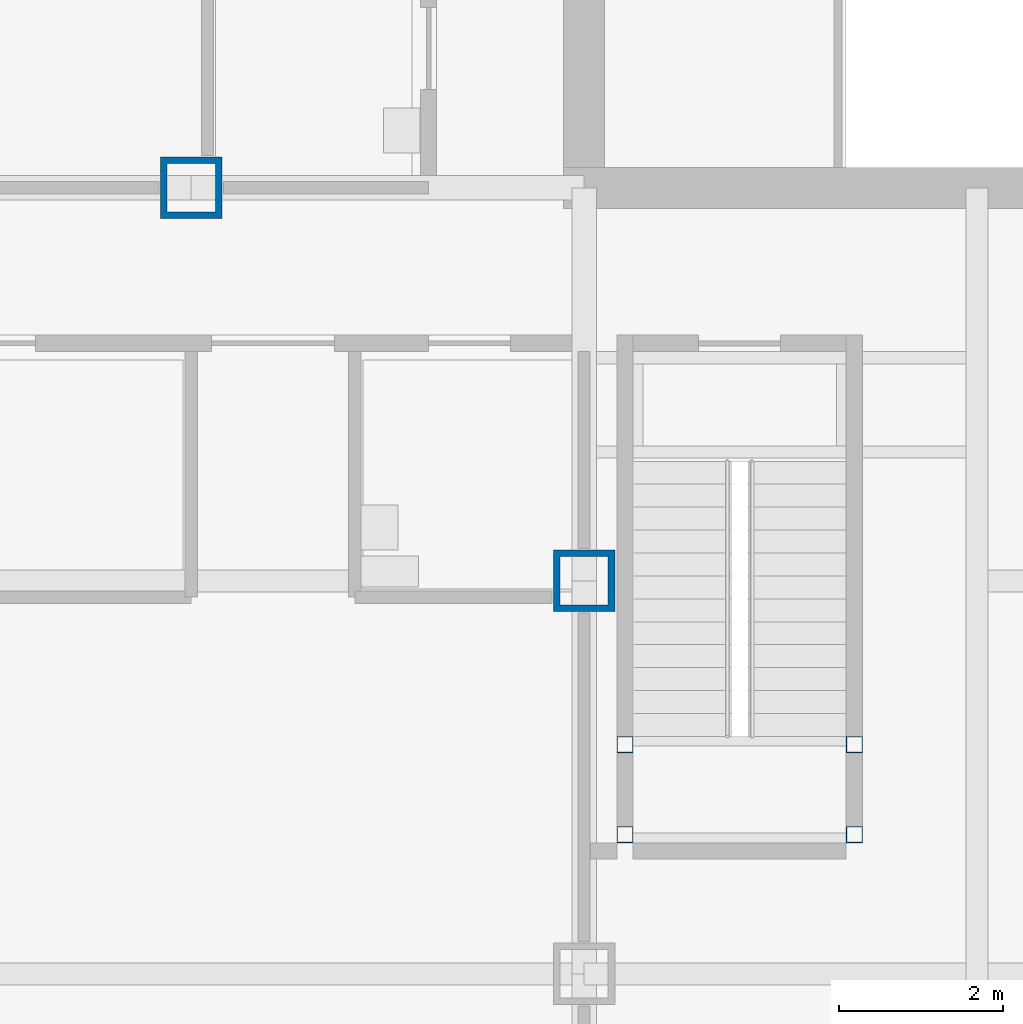
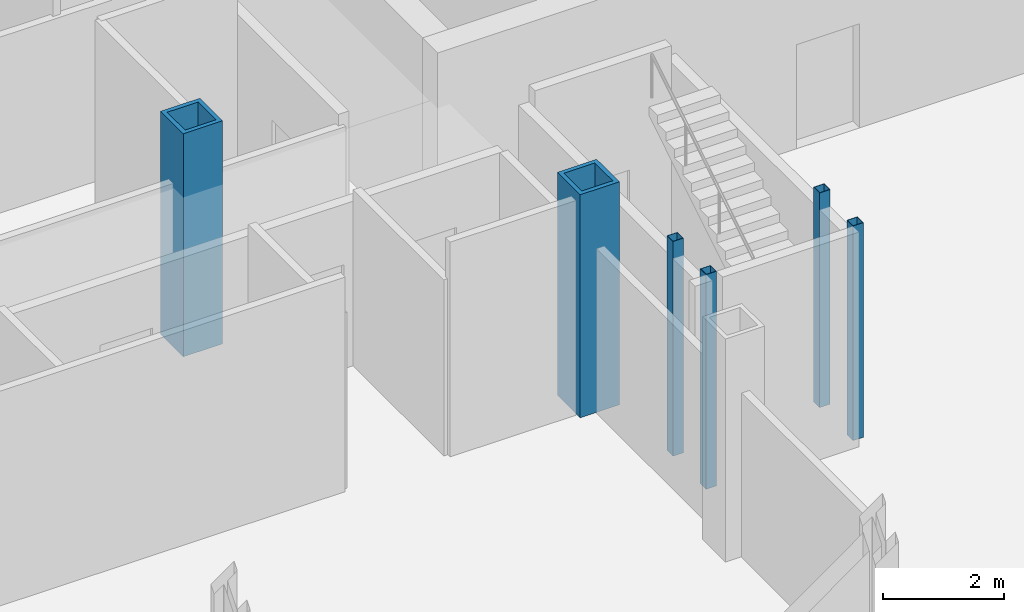
# One storey, part 3 of 25: 6 columns.
"""IFC4 building model written with IfcOpenShell, lengths in metres."""

from ifc_helpers import new_model, si_unit, direction, frame, origin, origin_2d, place, context, subcontext, project, spatial, hollow_rectangle, extrude, material, material_profile, profile_set, type_object, element, save


model = new_model("IFC4")

# Units and contexts
model_context = context("Model", 3, precision=1e-05, world=origin(), true_north=direction((0.0, 1.0)))
body_context = subcontext(model_context, "Body", "Model", "MODEL_VIEW")
ifc_project = project(units=[si_unit("LENGTHUNIT", "METRE"), si_unit("AREAUNIT", "SQUARE_METRE"), si_unit("VOLUMEUNIT", "CUBIC_METRE"), si_unit("PLANEANGLEUNIT", "RADIAN"), si_unit("MASSUNIT", "GRAM", prefix="KILO")], contexts=[model_context])

# Site, building, storey
site_placement = place(None, origin())
site = spatial("IfcSite", under=ifc_project, at=site_placement, CompositionType="ELEMENT")
building_placement = place(site_placement, origin())
building = spatial("IfcBuilding", under=site, at=building_placement, Name="Kvirike Care Tower", CompositionType="ELEMENT")
storey_placement = place(building_placement, frame((0.0, 0.0, 13.5)))
storey = spatial("IfcBuildingStorey", under=building, at=storey_placement, Name="L03", CompositionType="ELEMENT", Elevation=13.5)

# Columns
ifc_material_1 = material(Name="Steel S460", Category="steel")
ifc_material_profile_1 = material_profile(ifc_material_1, hollow_rectangle(XDim=0.75, YDim=0.75, WallThickness=0.080078125, at=origin_2d()), Name="BX 750x750x80")
ifc_profile_set_1 = profile_set([ifc_material_profile_1], Name="Steel S460")
column_type_1 = type_object("IfcColumnType", Name="COLUMN BX 750x750x80", PredefinedType="COLUMN", material=ifc_profile_set_1)
for number, where, z_axis, x_axis, name in (
    (1, (9.60009765625, 28.800048828125, 0.0), (0.0, 0.0, 1.0), (0.0, 1.0, 0.0), "Column G5 L03"),
    (2, (14.39990234375, 24.0, 0.0), (0.0, 0.0, 1.0), (1.0, 0.0, 0.0), "Column F6 L03"),
):
    element("IfcColumn", number, at=place(storey_placement, frame(where, z_axis=z_axis, x_axis=x_axis)), inside=storey, type_object=column_type_1, Name=name, PredefinedType="COLUMN", context=body_context, shape_type="SweptSolid", body=[
        extrude(hollow_rectangle(XDim=0.75, YDim=0.75, WallThickness=0.080078125, at=origin_2d()), origin(), (0.0, 0.0, 1.0), 4.5),
    ])
ifc_material_2 = material(Name="Steel S460", Category="steel")
ifc_material_profile_2 = material_profile(ifc_material_2, hollow_rectangle(XDim=0.199951171875, YDim=0.199951171875, WallThickness=0.008056640625, at=origin_2d()), Name="SHS 200x200x8")
ifc_profile_set_2 = profile_set([ifc_material_profile_2], Name="Steel S460")
column_type_2 = type_object("IfcColumnType", Name="STAIR POST SHS 200x200x8", PredefinedType="COLUMN", material=ifc_profile_set_2)
for number, where, z_axis, x_axis, name in (
    (3, (14.89990234375, 20.89990234375, 0.0), (0.0, 0.0, 1.0), (1.0, 0.0, 0.0), "Stair 5 post 1 L03"),
    (4, (17.699951171875, 20.89990234375, 0.0), (0.0, 0.0, 1.0), (1.0, 0.0, 0.0), "Stair 5 post 2 L03"),
    (5, (14.89990234375, 22.0, 0.0), (0.0, 0.0, 1.0), (1.0, 0.0, 0.0), "Stair 5 post 3 L03"),
    (6, (17.699951171875, 22.0, 0.0), (0.0, 0.0, 1.0), (1.0, 0.0, 0.0), "Stair 5 post 4 L03"),
):
    element("IfcColumn", number, at=place(storey_placement, frame(where, z_axis=z_axis, x_axis=x_axis)), inside=storey, type_object=column_type_2, Name=name, PredefinedType="COLUMN", context=body_context, shape_type="SweptSolid", body=[
        extrude(hollow_rectangle(XDim=0.199951171875, YDim=0.199951171875, WallThickness=0.008056640625, at=origin_2d()), origin(), (0.0, 0.0, 1.0), 4.330078125),
    ])

save(model, "model.ifc")
